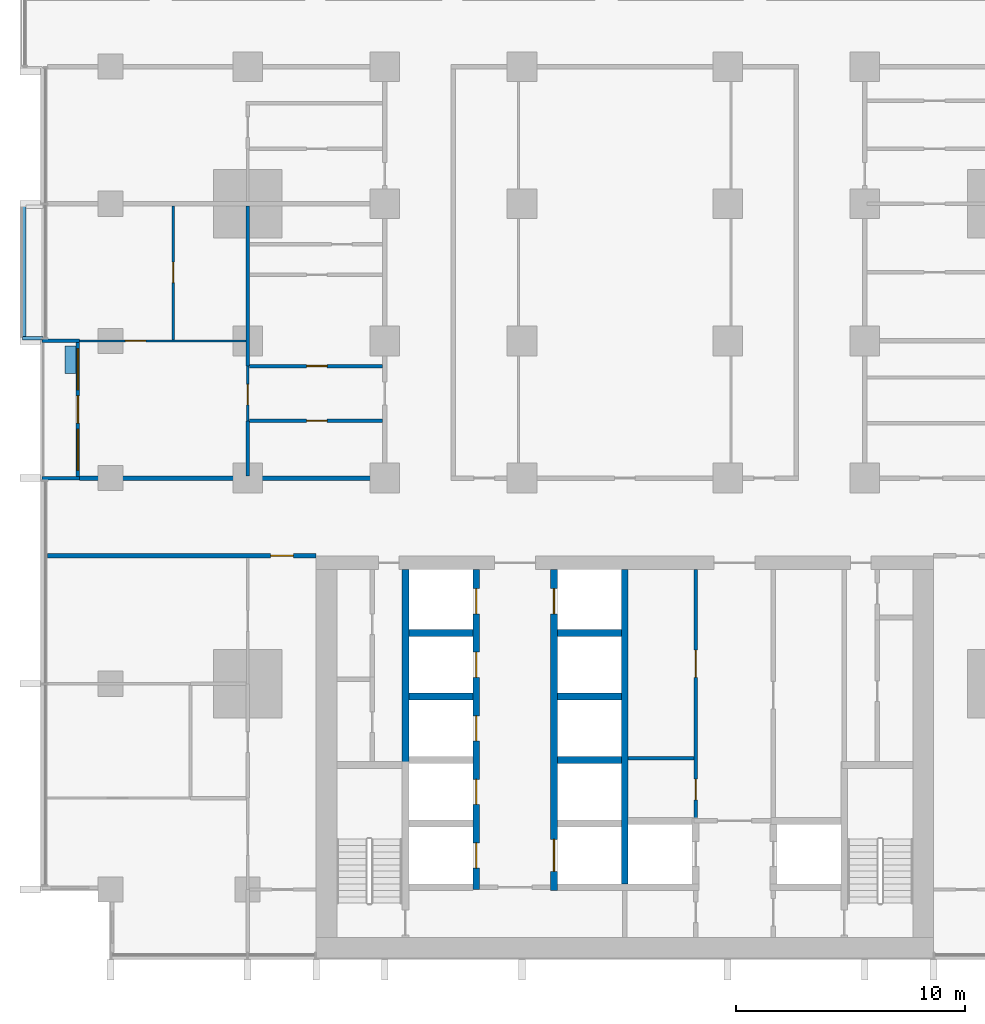
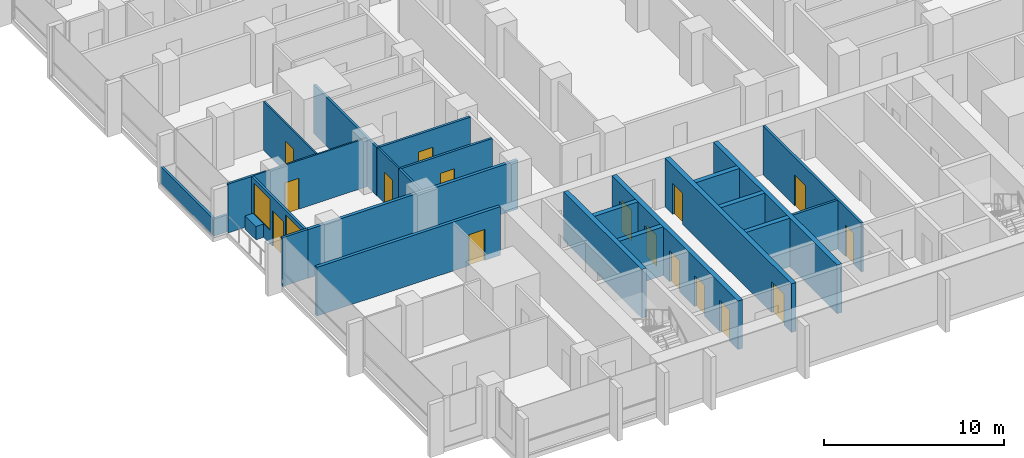
# One storey, part 8 of 18: 26 walls, 16 doors, 2 windows, 18 openings.
"""IFC4 building model written with IfcOpenShell, lengths in metres."""

import ifcopenshell
import ifcopenshell.guid

model = None  # the IFC model being written
_history = None  # IfcOwnerHistory: only IFC2X3 demands one
_inside = {}  # id of a spatial element -> (the spatial element, [elements in it])
_under = {}  # id of a project, library or spatial element -> (it, [spatial elements below it])
_declared = {}  # id of a project -> (the project, [libraries it declares])
_typed = {}  # id of a type object -> (the type object, [elements of that type])
_made_of = {}  # id of a material, layer set ... -> (it, [elements and type objects made of it])


def new_model(schema):
    """Start an empty IFC model of exactly this schema.

    Asked for "IFC4X3", IfcOpenShell would pick the latest addendum, in which some entities
    have other attributes; the version numbers below select the first issue.
    IFC2X3 requires an IfcOwnerHistory on every rooted entity: one is made here for all.
    """
    global model, _history
    if schema == "IFC4X3":
        model = ifcopenshell.file(schema_version=(4, 3, 0, 0))
    else:
        model = ifcopenshell.file(schema=schema)
    _inside.clear()
    _under.clear()
    _declared.clear()
    _typed.clear()
    _made_of.clear()
    _history = None
    if model.schema == "IFC2X3":
        org = make("IfcOrganization", Name="unknown")
        user = make(
            "IfcPersonAndOrganization",
            ThePerson=make("IfcPerson", FamilyName="unknown"),
            TheOrganization=org,
        )
        app = make(
            "IfcApplication",
            ApplicationDeveloper=org,
            Version="unknown",
            ApplicationFullName="unknown",
            ApplicationIdentifier="unknown",
        )
        _history = make(
            "IfcOwnerHistory",
            OwningUser=user,
            OwningApplication=app,
            ChangeAction="ADDED",
            CreationDate=0,
        )
    return model


def make(cls, **values):
    """One entity of the class cls with the attributes given. An attribute that is None is left unset."""
    return model.create_entity(
        cls, **{name: value for name, value in values.items() if value is not None}
    )


def rooted(cls, **values):
    """An entity with a GlobalId (a new one), such as an element, a storey or a relation."""
    return make(cls, GlobalId=ifcopenshell.guid.new(), OwnerHistory=_history, **values)


def si_unit(unit_type, name, prefix=None):
    """IfcSIUnit, for example si_unit("LENGTHUNIT", "METRE", prefix="MILLI")."""
    return make("IfcSIUnit", UnitType=unit_type, Prefix=prefix, Name=name)


def assignment(units):
    """IfcUnitAssignment: the units of a project."""
    return None if units is None else make("IfcUnitAssignment", Units=units)


def point(xyz):
    """IfcCartesianPoint."""
    return None if xyz is None else make("IfcCartesianPoint", Coordinates=xyz)


def direction(xyz):
    """IfcDirection."""
    return None if xyz is None else make("IfcDirection", DirectionRatios=xyz)


def frame(location, z_axis=None, x_axis=None):
    """IfcAxis2Placement3D, a coordinate frame: its origin and axes. An axis left out is left unset."""
    return make(
        "IfcAxis2Placement3D",
        Location=point(location),
        Axis=direction(z_axis),
        RefDirection=direction(x_axis),
    )


def frame_2d(location, x_axis=None):
    """IfcAxis2Placement2D, a coordinate frame in the plane: its origin and x axis."""
    return make(
        "IfcAxis2Placement2D", Location=point(location), RefDirection=direction(x_axis)
    )


def origin():
    """The frame at (0, 0, 0) with its axes left unset."""
    return frame((0.0, 0.0, 0.0))


def place(relative_to, where):
    """IfcLocalPlacement: puts the frame where relative to a parent placement (None: the world)."""
    return make(
        "IfcLocalPlacement", PlacementRelTo=relative_to, RelativePlacement=where
    )


def context(
    kind, dimensions, precision=None, world=None, true_north=None, identifier=None
):
    """IfcGeometricRepresentationContext, for example the 3D "Model" context."""
    return make(
        "IfcGeometricRepresentationContext",
        ContextIdentifier=identifier,
        ContextType=kind,
        CoordinateSpaceDimension=dimensions,
        Precision=precision,
        WorldCoordinateSystem=world,
        TrueNorth=true_north,
    )


def subcontext(parent, identifier, kind, view, scale=None):
    """IfcGeometricRepresentationSubContext, for example "Body" below "Model"."""
    return make(
        "IfcGeometricRepresentationSubContext",
        ContextIdentifier=identifier,
        ContextType=kind,
        ParentContext=parent,
        TargetScale=scale,
        TargetView=view,
    )


def project(units=None, contexts=None):
    """IfcProject with its units and contexts."""
    return rooted(
        "IfcProject",
        Name="project",
        RepresentationContexts=contexts,
        UnitsInContext=assignment(units),
    )


def spatial(cls, under=None, at=None, **own):
    """A site, building, storey or space (cls), placed at a placement, below another one or the project."""
    s = rooted(cls, ObjectPlacement=at, **own)
    if under is not None:
        _under.setdefault(under.id(), (under, []))[1].append(s)
    return s


def profile(cls, at=None, kind="AREA", **sizes):
    """A parametric profile (cls). Its sizes go by their IFC names, for example OverallWidth=200.0."""
    return make(cls, ProfileType=kind, Position=at, **sizes)


def rectangle(**sizes):
    """IfcRectangleProfileDef."""
    return profile("IfcRectangleProfileDef", **sizes)


def extrude(swept, where, along, depth):
    """IfcExtrudedAreaSolid: the profile swept, set in the frame where, extruded along a direction by depth."""
    return make(
        "IfcExtrudedAreaSolid",
        SweptArea=swept,
        Position=where,
        ExtrudedDirection=direction(along),
        Depth=depth,
    )


def shape(context_of_items, identifier, shape_type, items):
    """IfcShapeRepresentation: the items that make up one representation, for example the "Body"."""
    return make(
        "IfcShapeRepresentation",
        ContextOfItems=context_of_items,
        RepresentationIdentifier=identifier,
        RepresentationType=shape_type,
        Items=items,
    )


def material(Name=None, Category=None):
    """IfcMaterial."""
    return make("IfcMaterial", Name=Name, Category=Category)


def layer(
    of_material, thickness, ventilated=None, Name=None, Category=None, Priority=None
):
    """IfcMaterialLayer: one layer of a wall or slab, of a material (None: an air gap)."""
    return make(
        "IfcMaterialLayer",
        Material=of_material,
        LayerThickness=thickness,
        IsVentilated=ventilated,
        Name=Name,
        Category=Category,
        Priority=Priority,
    )


def layer_set(layers, Name=None):
    """IfcMaterialLayerSet."""
    return make("IfcMaterialLayerSet", MaterialLayers=layers, LayerSetName=Name)


def made_of(thing, what):
    """Note that an element or type object is made of a material, layer set ...; save() writes the relation."""
    if what is not None:
        _made_of.setdefault(what.id(), (what, []))[1].append(thing)
    return thing


def type_object(cls, material=None, **own):
    """A type object (cls), such as IfcWallType, which elements share."""
    return made_of(rooted(cls, **own), material)


def element(
    cls,
    number,
    at=None,
    inside=None,
    cuts=None,
    type_object=None,
    material=None,
    context=None,
    identifier="Body",
    shape_type=None,
    held_by="IfcProductDefinitionShape",
    body=None,
    shapes=None,
    **own,
):
    """One element of the class cls, such as IfcWall. Its Tag is "e" and its number.

    at: its placement. inside: the storey or other place that contains it. cuts: it is an
    opening in that element (IfcRelVoidsElement). A single representation is given by context,
    identifier, shape_type and body (its items); several are given by shapes. held_by: the class
    of the entity that holds the representations. save() writes the other relations.
    """
    e = rooted(cls, Tag="e%d" % number, ObjectPlacement=at, **own)
    if body is not None:
        shapes = [shape(context, identifier, shape_type, body)]
    if shapes is not None:
        e.Representation = make(held_by, Representations=shapes)
    if inside is not None:
        _inside.setdefault(inside.id(), (inside, []))[1].append(e)
    if cuts is not None:
        rooted(
            "IfcRelVoidsElement", RelatingBuildingElement=cuts, RelatedOpeningElement=e
        )
    if type_object is not None:
        _typed.setdefault(type_object.id(), (type_object, []))[1].append(e)
    return made_of(e, material)


def fill(opening, filler):
    """IfcRelFillsElement: the door or window that sits in an opening."""
    return rooted(
        "IfcRelFillsElement",
        RelatingOpeningElement=opening,
        RelatedBuildingElement=filler,
    )


def aggregate(whole, parts):
    """IfcRelAggregates: a whole, such as a stair, and the parts it consists of."""
    return rooted("IfcRelAggregates", RelatingObject=whole, RelatedObjects=parts)


def save(model, path):
    """Write the relations noted so far, then the file.

    IfcRelAggregates (storeys below a building ...), IfcRelContainedInSpatialStructure (elements
    in a storey), IfcRelDefinesByType, IfcRelAssociatesMaterial and IfcRelDeclares: one each for
    every whole, place, type object, material and project.
    """
    for whole, parts in _under.values():
        aggregate(whole, parts)
    for where, things in _inside.values():
        rooted(
            "IfcRelContainedInSpatialStructure",
            RelatedElements=things,
            RelatingStructure=where,
        )
    for kind, things in _typed.values():
        rooted("IfcRelDefinesByType", RelatedObjects=things, RelatingType=kind)
    for what, things in _made_of.values():
        rooted("IfcRelAssociatesMaterial", RelatedObjects=things, RelatingMaterial=what)
    for by, libraries in _declared.values():
        rooted("IfcRelDeclares", RelatingContext=by, RelatedDefinitions=libraries)
    model.write(path)


model = new_model("IFC4")

# Units and contexts
model_context = context("Model", 3, precision=1e-05, world=origin(), true_north=direction((0.0, 1.0)))
body_context = subcontext(model_context, "Body", "Model", "MODEL_VIEW")
ifc_project = project(units=[si_unit("LENGTHUNIT", "METRE"), si_unit("AREAUNIT", "SQUARE_METRE"), si_unit("VOLUMEUNIT", "CUBIC_METRE"), si_unit("PLANEANGLEUNIT", "RADIAN"), si_unit("MASSUNIT", "GRAM", prefix="KILO")], contexts=[model_context])

# Site, building, storey
site_placement = place(None, origin())
site = spatial("IfcSite", under=ifc_project, at=site_placement, CompositionType="ELEMENT")
building_placement = place(site_placement, origin())
building = spatial("IfcBuilding", under=site, at=building_placement, Name="Finial Court Residences", CompositionType="ELEMENT")
storey_placement = place(building_placement, frame((0.0, 0.0, 36.10009765625)))
storey = spatial("IfcBuildingStorey", under=building, at=storey_placement, Name="L07", CompositionType="ELEMENT", Elevation=36.10009765625)

# Wall
ifc_material_1 = material(Name="Fire-rated gypsum board partition")
ifc_layer_1 = layer(ifc_material_1, 0.14990234375)
ifc_layer_set_1 = layer_set([ifc_layer_1], Name="Core room partition 150 EI 60")
wall_type_1 = type_object("IfcWallType", Name="Core room partition 150 EI 60", PredefinedType="PARTITIONING", material=ifc_layer_set_1)
wall_1_placement = place(storey_placement, frame((0.14990234375, -16.75, 0.0), z_axis=(0.0, 0.0, 1.0), x_axis=(1.0, 0.0, 0.0)))
element("IfcWall", 1, at=wall_1_placement, inside=storey, type_object=wall_type_1, Name="Core partition L07-14", PredefinedType="PARTITIONING", context=body_context, shape_type="SweptSolid", body=[
    extrude(rectangle(XDim=2.875, YDim=0.14990234375, at=frame_2d((1.4375, 0.0))), origin(), (0.0, 0.0, 1.0), 3.2998046875),
])

# Wall, openings, doors
wall_2_placement = place(storey_placement, frame((3.10009765625, -19.39990234375, 0.0), z_axis=(0.0, 0.0, 1.0), x_axis=(0.0, 1.0, 0.0)))
wall_2 = element("IfcWall", 2, at=wall_2_placement, inside=storey, type_object=wall_type_1, Name="Core partition L07-31", PredefinedType="PARTITIONING", context=body_context, shape_type="SweptSolid", body=[
    extrude(rectangle(XDim=10.89990234375, YDim=0.14990234375, at=frame_2d((5.449951171875, 0.0))), origin(), (0.0, 0.0, 1.0), 3.2998046875),
])
opening_1_placement = place(wall_2_placement, frame((0.824951171875, 0.0, 0.0)))
opening_1 = element("IfcOpeningElement", 3, at=opening_1_placement, cuts=wall_2, Name="Opening L07-C14", PredefinedType="OPENING", context=body_context, shape_type="SweptSolid", body=[
    extrude(rectangle(XDim=0.89990234375, YDim=2.10009765625, at=frame_2d((0.449951171875, 1.050048828125))), frame((0.0, 0.0849609375, 0.0), z_axis=(0.0, -1.0, 0.0), x_axis=(1.0, 0.0, 0.0)), (0.0, 0.0, 1.0), 0.169921875),
])
opening_2_placement = place(wall_2_placement, frame((6.175048828125, 0.0, 0.0)))
opening_2 = element("IfcOpeningElement", 4, at=opening_2_placement, cuts=wall_2, Name="Opening L07-C15", PredefinedType="OPENING", context=body_context, shape_type="SweptSolid", body=[
    extrude(rectangle(XDim=1.199951171875, YDim=2.10009765625, at=frame_2d((0.60009765625, 1.050048828125))), frame((0.0, 0.0849609375, 0.0), z_axis=(0.0, -1.0, 0.0), x_axis=(1.0, 0.0, 0.0)), (0.0, 0.0, 1.0), 0.169921875),
])
ifc_material_2 = material(Name="Steel fire door", Category="steel")
door_type_1 = type_object("IfcDoorType", Name="Core room door 1200 x 2100 EI 60", OperationType="NOTDEFINED", PredefinedType="DOOR", material=ifc_material_2)
door_1_placement = place(opening_2_placement, origin())
door_1 = element("IfcDoor", 5, at=door_1_placement, inside=storey, type_object=door_type_1, Name="Core room door L07-C15", OperationType="SINGLE_SWING_LEFT", OverallHeight=2.10009765625, OverallWidth=1.199951171875, PredefinedType="DOOR", context=body_context, shape_type="SweptSolid", body=[
    extrude(rectangle(XDim=1.199951171875, YDim=2.10009765625, at=frame_2d((0.60009765625, 1.050048828125))), frame((0.0, 0.02490234375, 0.0), z_axis=(0.0, -1.0, 0.0), x_axis=(1.0, 0.0, 0.0)), (0.0, 0.0, 1.0), 0.050048828125),
])
fill(opening_2, door_1)
door_type_2 = type_object("IfcDoorType", Name="Core room door 900 x 2100 EI 60", OperationType="NOTDEFINED", PredefinedType="DOOR", material=ifc_material_2)
door_2_placement = place(opening_1_placement, origin())
door_2 = element("IfcDoor", 6, at=door_2_placement, inside=storey, type_object=door_type_2, Name="Core room door L07-C14", OperationType="SINGLE_SWING_LEFT", OverallHeight=2.10009765625, OverallWidth=0.89990234375, PredefinedType="DOOR", context=body_context, shape_type="SweptSolid", body=[
    extrude(rectangle(XDim=0.89990234375, YDim=2.10009765625, at=frame_2d((0.449951171875, 1.050048828125))), frame((0.0, 0.02490234375, 0.0), z_axis=(0.0, -1.0, 0.0), x_axis=(1.0, 0.0, 0.0)), (0.0, 0.0, 1.0), 0.050048828125),
])
fill(opening_1, door_2)

# Wall, opening, door
ifc_material_3 = material(Name="Gypsum board")
ifc_layer_2 = layer(ifc_material_3, 0.02490234375)
ifc_material_4 = material(Name="Acoustic mineral wool in double frame")
ifc_layer_3 = layer(ifc_material_4, 0.14990234375)
ifc_layer_4 = layer(ifc_material_3, 0.02490234375)
ifc_layer_set_2 = layer_set([ifc_layer_2, ifc_layer_3, ifc_layer_4], Name="Corridor wall 200, 1 hour")
wall_type_2 = type_object("IfcWallType", Name="Corridor wall 200, 1 hour", PredefinedType="PARTITIONING", material=ifc_layer_set_2)
wall_3_placement = place(storey_placement, frame((-25.25, -7.89990234375, 0.0), z_axis=(0.0, 0.0, 1.0), x_axis=(1.0, 0.0, 0.0)))
wall_3 = element("IfcWall", 7, at=wall_3_placement, inside=storey, type_object=wall_type_2, Name="Partition L07-009", PredefinedType="PARTITIONING", context=body_context, shape_type="SweptSolid", body=[
    extrude(rectangle(XDim=11.75, YDim=0.199951171875, at=frame_2d((5.875, 0.0))), origin(), (0.0, 0.0, 1.0), 3.2998046875),
])
opening_3_placement = place(wall_3_placement, frame((9.75, 0.0, 0.0)))
opening_3 = element("IfcOpeningElement", 8, at=opening_3_placement, cuts=wall_3, Name="Opening L07-D005", PredefinedType="OPENING", context=body_context, shape_type="SweptSolid", body=[
    extrude(rectangle(XDim=1.0, YDim=2.10009765625, at=frame_2d((0.5, 1.050048828125))), frame((0.0, 0.10986328125, 0.0), z_axis=(0.0, -1.0, 0.0), x_axis=(1.0, 0.0, 0.0)), (0.0, 0.0, 1.0), 0.219970703125),
])
ifc_material_5 = material(Name="Timber door leaf in hollow metal frame", Category="wood")
door_type_3 = type_object("IfcDoorType", Name="Fire door set 1000 x 2100, 30 minutes", OperationType="SINGLE_SWING_LEFT", PredefinedType="DOOR", material=ifc_material_5)
door_3_placement = place(opening_3_placement, origin())
door_3 = element("IfcDoor", 9, at=door_3_placement, inside=storey, type_object=door_type_3, Name="Door L07-D005", OperationType="SINGLE_SWING_RIGHT", OverallHeight=2.10009765625, OverallWidth=1.0, PredefinedType="DOOR", context=body_context, shape_type="SweptSolid", body=[
    extrude(rectangle(XDim=1.0, YDim=2.10009765625, at=frame_2d((0.5, 1.050048828125))), frame((0.0, 0.02490234375, 0.0), z_axis=(0.0, -1.0, 0.0), x_axis=(1.0, 0.0, 0.0)), (0.0, 0.0, 1.0), 0.050048828125),
])
fill(opening_3, door_3)

# Wall
wall_4_placement = place(storey_placement, frame((-23.85009765625, -4.5, 0.0), z_axis=(0.0, 0.0, 1.0), x_axis=(1.0, 0.0, 0.0)))
element("IfcWall", 10, at=wall_4_placement, inside=storey, type_object=wall_type_2, Name="Partition L07-011", PredefinedType="PARTITIONING", context=body_context, shape_type="SweptSolid", body=[
    extrude(rectangle(XDim=13.4501953125, YDim=0.199951171875, at=frame_2d((6.72509765625, 0.0))), origin(), (0.0, 0.0, 1.0), 3.2998046875),
])

# Wall, opening, door
ifc_layer_5 = layer(ifc_material_3, 0.012451171875)
ifc_material_6 = material(Name="Mineral wool in light-gauge frame")
ifc_layer_6 = layer(ifc_material_6, 0.074951171875)
ifc_layer_7 = layer(ifc_material_3, 0.012451171875)
ifc_layer_set_3 = layer_set([ifc_layer_5, ifc_layer_6, ifc_layer_7], Name="Gypsum board partition 100")
wall_type_3 = type_object("IfcWallType", Name="Gypsum board partition 100", PredefinedType="PARTITIONING", material=ifc_layer_set_3)
wall_5_placement = place(storey_placement, frame((-23.85009765625, 1.5, 0.0), z_axis=(0.0, 0.0, 1.0), x_axis=(1.0, 0.0, 0.0)))
wall_5 = element("IfcWall", 11, at=wall_5_placement, inside=storey, type_object=wall_type_3, Name="Partition L07-018", PredefinedType="PARTITIONING", context=body_context, shape_type="SweptSolid", body=[
    extrude(rectangle(XDim=7.275146484375, YDim=0.10009765625, at=frame_2d((3.6376953125, 0.0))), origin(), (0.0, 0.0, 1.0), 3.2998046875),
])
opening_4_placement = place(wall_5_placement, frame((2.0, 0.0, 0.0)))
opening_4 = element("IfcOpeningElement", 12, at=opening_4_placement, cuts=wall_5, Name="Opening L07-D013", PredefinedType="OPENING", context=body_context, shape_type="SweptSolid", body=[
    extrude(rectangle(XDim=0.89990234375, YDim=2.10009765625, at=frame_2d((0.449951171875, 1.050048828125))), frame((0.0, 0.06005859375, 0.0), z_axis=(0.0, -1.0, 0.0), x_axis=(1.0, 0.0, 0.0)), (0.0, 0.0, 1.0), 0.1201171875),
])
ifc_material_7 = material(Name="Timber door leaf in timber frame", Category="wood")
door_type_4 = type_object("IfcDoorType", Name="Door set 900 x 2100", OperationType="SINGLE_SWING_LEFT", PredefinedType="DOOR", material=ifc_material_7)
door_4_placement = place(opening_4_placement, origin())
door_4 = element("IfcDoor", 13, at=door_4_placement, inside=storey, type_object=door_type_4, Name="Door L07-D013", OperationType="SINGLE_SWING_RIGHT", OverallHeight=2.10009765625, OverallWidth=0.89990234375, PredefinedType="DOOR", context=body_context, shape_type="SweptSolid", body=[
    extrude(rectangle(XDim=0.89990234375, YDim=2.10009765625, at=frame_2d((0.449951171875, 1.050048828125))), frame((0.0, 0.02490234375, 0.0), z_axis=(0.0, -1.0, 0.0), x_axis=(1.0, 0.0, 0.0)), (0.0, 0.0, 1.0), 0.050048828125),
])
fill(opening_4, door_4)

wall_6_placement = place(storey_placement, frame((-19.75, 1.550048828125, 0.0), z_axis=(0.0, 0.0, 1.0), x_axis=(0.0, 1.0, 0.0)))
wall_6 = element("IfcWall", 14, at=wall_6_placement, inside=storey, type_object=wall_type_3, Name="Partition L07-048", PredefinedType="PARTITIONING", context=body_context, shape_type="SweptSolid", body=[
    extrude(rectangle(XDim=5.849853515625, YDim=0.10009765625, at=frame_2d((2.9248046875, 0.0))), origin(), (0.0, 0.0, 1.0), 3.2998046875),
])
opening_5_placement = place(wall_6_placement, frame((2.5, 0.0, 0.0)))
opening_5 = element("IfcOpeningElement", 15, at=opening_5_placement, cuts=wall_6, Name="Opening L07-D035", PredefinedType="OPENING", context=body_context, shape_type="SweptSolid", body=[
    extrude(rectangle(XDim=0.89990234375, YDim=2.10009765625, at=frame_2d((0.449951171875, 1.050048828125))), frame((0.0, 0.06005859375, 0.0), z_axis=(0.0, -1.0, 0.0), x_axis=(1.0, 0.0, 0.0)), (0.0, 0.0, 1.0), 0.1201171875),
])
door_5_placement = place(opening_5_placement, origin())
door_5 = element("IfcDoor", 16, at=door_5_placement, inside=storey, type_object=door_type_4, Name="Door L07-D035", OperationType="SINGLE_SWING_RIGHT", OverallHeight=2.10009765625, OverallWidth=0.89990234375, PredefinedType="DOOR", context=body_context, shape_type="SweptSolid", body=[
    extrude(rectangle(XDim=0.89990234375, YDim=2.10009765625, at=frame_2d((0.449951171875, 1.050048828125))), frame((0.0, 0.02490234375, 0.0), z_axis=(0.0, -1.0, 0.0), x_axis=(1.0, 0.0, 0.0)), (0.0, 0.0, 1.0), 0.050048828125),
])
fill(opening_5, door_5)

wall_7_placement = place(storey_placement, frame((-16.5, -2.0, 0.0), z_axis=(0.0, 0.0, 1.0), x_axis=(0.0, 1.0, 0.0)))
wall_7 = element("IfcWall", 17, at=wall_7_placement, inside=storey, type_object=wall_type_3, Name="Partition L07-054", PredefinedType="PARTITIONING", context=body_context, shape_type="SweptSolid", body=[
    extrude(rectangle(XDim=2.39990234375, YDim=0.10009765625, at=frame_2d((1.199951171875, 0.0))), origin(), (0.0, 0.0, 1.0), 3.2998046875),
])
opening_6_placement = place(wall_7_placement, frame((0.699951171875, 0.0, 0.0)))
opening_6 = element("IfcOpeningElement", 18, at=opening_6_placement, cuts=wall_7, Name="Opening L07-D039", PredefinedType="OPENING", context=body_context, shape_type="SweptSolid", body=[
    extrude(rectangle(XDim=0.89990234375, YDim=2.10009765625, at=frame_2d((0.449951171875, 1.050048828125))), frame((0.0, 0.06005859375, 0.0), z_axis=(0.0, -1.0, 0.0), x_axis=(1.0, 0.0, 0.0)), (0.0, 0.0, 1.0), 0.1201171875),
])
door_6_placement = place(opening_6_placement, origin())
door_6 = element("IfcDoor", 19, at=door_6_placement, inside=storey, type_object=door_type_4, Name="Door L07-D039", OperationType="SINGLE_SWING_RIGHT", OverallHeight=2.10009765625, OverallWidth=0.89990234375, PredefinedType="DOOR", context=body_context, shape_type="SweptSolid", body=[
    extrude(rectangle(XDim=0.89990234375, YDim=2.10009765625, at=frame_2d((0.449951171875, 1.050048828125))), frame((0.0, 0.02490234375, 0.0), z_axis=(0.0, -1.0, 0.0), x_axis=(1.0, 0.0, 0.0)), (0.0, 0.0, 1.0), 0.050048828125),
])
fill(opening_6, door_6)

ifc_material_8 = material(Name="Moisture-resistant gypsum board")
ifc_layer_8 = layer(ifc_material_8, 0.012451171875)
ifc_layer_9 = layer(ifc_material_6, 0.125)
ifc_layer_10 = layer(ifc_material_8, 0.012451171875)
ifc_layer_set_4 = layer_set([ifc_layer_8, ifc_layer_9, ifc_layer_10], Name="Gypsum board wet-area partition 150")
wall_type_4 = type_object("IfcWallType", Name="Gypsum board wet-area partition 150", PredefinedType="PARTITIONING", material=ifc_layer_set_4)
wall_8_placement = place(storey_placement, frame((-16.425048828125, -2.0, 0.0), z_axis=(0.0, 0.0, 1.0), x_axis=(1.0, 0.0, 0.0)))
wall_8 = element("IfcWall", 20, at=wall_8_placement, inside=storey, type_object=wall_type_4, Name="Partition L07-015", PredefinedType="PARTITIONING", context=body_context, shape_type="SweptSolid", body=[
    extrude(rectangle(XDim=5.824951171875, YDim=0.14990234375, at=frame_2d((2.91259765625, 0.0))), origin(), (0.0, 0.0, 1.0), 3.2998046875),
])
opening_7_placement = place(wall_8_placement, frame((2.5, 0.0, 0.0)))
opening_7 = element("IfcOpeningElement", 21, at=opening_7_placement, cuts=wall_8, Name="Opening L07-D011", PredefinedType="OPENING", context=body_context, shape_type="SweptSolid", body=[
    extrude(rectangle(XDim=0.89990234375, YDim=2.10009765625, at=frame_2d((0.449951171875, 1.050048828125))), frame((0.0, 0.0849609375, 0.0), z_axis=(0.0, -1.0, 0.0), x_axis=(1.0, 0.0, 0.0)), (0.0, 0.0, 1.0), 0.169921875),
])
door_7_placement = place(opening_7_placement, origin())
door_7 = element("IfcDoor", 22, at=door_7_placement, inside=storey, type_object=door_type_4, Name="Door L07-D011", OperationType="SINGLE_SWING_RIGHT", OverallHeight=2.10009765625, OverallWidth=0.89990234375, PredefinedType="DOOR", context=body_context, shape_type="SweptSolid", body=[
    extrude(rectangle(XDim=0.89990234375, YDim=2.10009765625, at=frame_2d((0.449951171875, 1.050048828125))), frame((0.0, 0.02490234375, 0.0), z_axis=(0.0, -1.0, 0.0), x_axis=(1.0, 0.0, 0.0)), (0.0, 0.0, 1.0), 0.050048828125),
])
fill(opening_7, door_7)

wall_9_placement = place(storey_placement, frame((-16.425048828125, 0.39990234375, 0.0), z_axis=(0.0, 0.0, 1.0), x_axis=(1.0, 0.0, 0.0)))
wall_9 = element("IfcWall", 23, at=wall_9_placement, inside=storey, type_object=wall_type_4, Name="Partition L07-017", PredefinedType="PARTITIONING", context=body_context, shape_type="SweptSolid", body=[
    extrude(rectangle(XDim=5.824951171875, YDim=0.14990234375, at=frame_2d((2.91259765625, 0.0))), origin(), (0.0, 0.0, 1.0), 3.2998046875),
])
opening_8_placement = place(wall_9_placement, frame((2.5, 0.0, 0.0)))
opening_8 = element("IfcOpeningElement", 24, at=opening_8_placement, cuts=wall_9, Name="Opening L07-D012", PredefinedType="OPENING", context=body_context, shape_type="SweptSolid", body=[
    extrude(rectangle(XDim=0.89990234375, YDim=2.10009765625, at=frame_2d((0.449951171875, 1.050048828125))), frame((0.0, 0.0849609375, 0.0), z_axis=(0.0, -1.0, 0.0), x_axis=(1.0, 0.0, 0.0)), (0.0, 0.0, 1.0), 0.169921875),
])
door_8_placement = place(opening_8_placement, origin())
door_8 = element("IfcDoor", 25, at=door_8_placement, inside=storey, type_object=door_type_4, Name="Door L07-D012", OperationType="SINGLE_SWING_LEFT", OverallHeight=2.10009765625, OverallWidth=0.89990234375, PredefinedType="DOOR", context=body_context, shape_type="SweptSolid", body=[
    extrude(rectangle(XDim=0.89990234375, YDim=2.10009765625, at=frame_2d((0.449951171875, 1.050048828125))), frame((0.0, 0.02490234375, 0.0), z_axis=(0.0, -1.0, 0.0), x_axis=(1.0, 0.0, 0.0)), (0.0, 0.0, 1.0), 0.050048828125),
])
fill(opening_8, door_8)

# Walls
wall_10_placement = place(storey_placement, frame((-16.5, -4.39990234375, 0.0), z_axis=(0.0, 0.0, 1.0), x_axis=(0.0, 1.0, 0.0)))
element("IfcWall", 26, at=wall_10_placement, inside=storey, type_object=wall_type_4, Name="Partition L07-058", PredefinedType="PARTITIONING", context=body_context, shape_type="SweptSolid", body=[
    extrude(rectangle(XDim=2.39990234375, YDim=0.14990234375, at=frame_2d((1.199951171875, 0.0))), origin(), (0.0, 0.0, 1.0), 3.2998046875),
])
wall_11_placement = place(storey_placement, frame((-16.5, 0.39990234375, 0.0), z_axis=(0.0, 0.0, 1.0), x_axis=(0.0, 1.0, 0.0)))
element("IfcWall", 27, at=wall_11_placement, inside=storey, type_object=wall_type_4, Name="Partition L07-059", PredefinedType="PARTITIONING", context=body_context, shape_type="SweptSolid", body=[
    extrude(rectangle(XDim=7.0, YDim=0.14990234375, at=frame_2d((3.5, 0.0))), origin(), (0.0, 0.0, 1.0), 3.2998046875),
])
ifc_material_9 = material(Name="Concrete C35/45", Category="concrete")
ifc_layer_11 = layer(ifc_material_9, 0.14990234375)
ifc_layer_set_5 = layer_set([ifc_layer_11], Name="Ledge parapet, Concrete C35/45 150")
wall_type_5 = type_object("IfcWallType", Name="Ledge parapet, Concrete C35/45 150", PredefinedType="PARAPET", material=ifc_layer_set_5)
wall_12_placement = place(storey_placement, frame((-25.4599609375, 1.625, 0.0), z_axis=(0.0, 0.0, 1.0), x_axis=(-1.0, 0.0, 0.0)))
element("IfcWall", 28, at=wall_12_placement, inside=storey, type_object=wall_type_5, Name="E-L07-LED1-P1", PredefinedType="PARAPET", context=body_context, shape_type="SweptSolid", body=[
    extrude(rectangle(XDim=0.89013671875, YDim=0.14990234375, at=frame_2d((0.445068359375, 0.0))), origin(), (0.0, 0.0, 1.0), 1.14990234375),
])
wall_13_placement = place(storey_placement, frame((-26.27490234375, 1.699951171875, 0.0), z_axis=(0.0, 0.0, 1.0), x_axis=(0.0, 1.0, 0.0)))
element("IfcWall", 29, at=wall_13_placement, inside=storey, type_object=wall_type_5, Name="E-L07-LED1-P2", PredefinedType="PARAPET", context=body_context, shape_type="SweptSolid", body=[
    extrude(rectangle(XDim=5.75, YDim=0.14990234375, at=frame_2d((2.875, 0.0))), origin(), (0.0, 0.0, 1.0), 1.14990234375),
])
ifc_material_10 = material(Name="Concrete C80/95", Category="concrete")
ifc_layer_12 = layer(ifc_material_10, 0.300048828125)
ifc_layer_set_6 = layer_set([ifc_layer_12], Name="Lift shaft and stair wall 300 Concrete C80/95")
wall_type_6 = type_object("IfcWallType", Name="Lift shaft and stair wall 300 Concrete C80/95", PredefinedType="SHEAR", material=ifc_layer_set_6)
for number, where, z_axis, x_axis, name in (
    (30, (-2.949951171875, -16.840087890625, 0.0), (0.0, 0.0, 1.0), (1.0, 0.0, 0.0), "Core wall L07-13"),
    (31, (-9.449951171875, -14.06005859375, 0.0), (0.0, 0.0, 1.0), (1.0, 0.0, 0.0), "Core wall L07-15"),
    (32, (-2.949951171875, -14.06005859375, 0.0), (0.0, 0.0, 1.0), (1.0, 0.0, 0.0), "Core wall L07-16"),
    (33, (-9.449951171875, -11.280029296875, 0.0), (0.0, 0.0, 1.0), (1.0, 0.0, 0.0), "Core wall L07-18"),
    (34, (-2.949951171875, -11.280029296875, 0.0), (0.0, 0.0, 1.0), (1.0, 0.0, 0.0), "Core wall L07-19"),
):
    element("IfcWall", number, at=place(storey_placement, frame(where, z_axis=z_axis, x_axis=x_axis)), inside=storey, type_object=wall_type_6, Name=name, PredefinedType="SHEAR", context=body_context, shape_type="SweptSolid", body=[
        extrude(rectangle(XDim=2.800048828125, YDim=0.300048828125, at=frame_2d((1.39990234375, 0.0))), origin(), (0.0, 0.0, 1.0), 3.2998046875),
    ])
wall_14_placement = place(storey_placement, frame((-9.60009765625, -17.199951171875, 0.0), z_axis=(0.0, 0.0, 1.0), x_axis=(0.0, 1.0, 0.0)))
element("IfcWall", 35, at=wall_14_placement, inside=storey, type_object=wall_type_6, Name="Core wall L07-24", PredefinedType="SHEAR", context=body_context, shape_type="SweptSolid", body=[
    extrude(rectangle(XDim=8.699951171875, YDim=0.300048828125, at=frame_2d((4.35009765625, 0.0))), origin(), (0.0, 0.0, 1.0), 3.2998046875),
])

# Wall, openings, doors
wall_15_placement = place(storey_placement, frame((-6.5, -22.5, 0.0), z_axis=(0.0, 0.0, 1.0), x_axis=(0.0, 1.0, 0.0)))
wall_15 = element("IfcWall", 36, at=wall_15_placement, inside=storey, type_object=wall_type_6, Name="Core wall L07-25", PredefinedType="SHEAR", context=body_context, shape_type="SweptSolid", body=[
    extrude(rectangle(XDim=14.0, YDim=0.300048828125, at=frame_2d((7.0, 0.0))), origin(), (0.0, 0.0, 1.0), 3.2998046875),
])
opening_9_placement = place(wall_15_placement, frame((0.93994140625, 0.0, 0.0)))
opening_9 = element("IfcOpeningElement", 37, at=opening_9_placement, cuts=wall_15, Name="Opening L07-LD03", PredefinedType="OPENING", context=body_context, shape_type="SweptSolid", body=[
    extrude(rectangle(XDim=1.10009765625, YDim=2.10009765625, at=frame_2d((0.550048828125, 1.050048828125))), frame((0.0, 0.159912109375, 0.0), z_axis=(0.0, -1.0, 0.0), x_axis=(1.0, 0.0, 0.0)), (0.0, 0.0, 1.0), 0.320068359375),
])
opening_10_placement = place(wall_15_placement, frame((3.719970703125, 0.0, 0.0)))
opening_10 = element("IfcOpeningElement", 38, at=opening_10_placement, cuts=wall_15, Name="Opening L07-LD04", PredefinedType="OPENING", context=body_context, shape_type="SweptSolid", body=[
    extrude(rectangle(XDim=1.10009765625, YDim=2.10009765625, at=frame_2d((0.550048828125, 1.050048828125))), frame((0.0, 0.159912109375, 0.0), z_axis=(0.0, -1.0, 0.0), x_axis=(1.0, 0.0, 0.0)), (0.0, 0.0, 1.0), 0.320068359375),
])
opening_11_placement = place(wall_15_placement, frame((6.5, 0.0, 0.0)))
opening_11 = element("IfcOpeningElement", 39, at=opening_11_placement, cuts=wall_15, Name="Opening L07-LD05", PredefinedType="OPENING", context=body_context, shape_type="SweptSolid", body=[
    extrude(rectangle(XDim=1.10009765625, YDim=2.10009765625, at=frame_2d((0.550048828125, 1.050048828125))), frame((0.0, 0.159912109375, 0.0), z_axis=(0.0, -1.0, 0.0), x_axis=(1.0, 0.0, 0.0)), (0.0, 0.0, 1.0), 0.320068359375),
])
opening_12_placement = place(wall_15_placement, frame((9.280029296875, 0.0, 0.0)))
opening_12 = element("IfcOpeningElement", 40, at=opening_12_placement, cuts=wall_15, Name="Opening L07-LD06", PredefinedType="OPENING", context=body_context, shape_type="SweptSolid", body=[
    extrude(rectangle(XDim=1.10009765625, YDim=2.10009765625, at=frame_2d((0.550048828125, 1.050048828125))), frame((0.0, 0.159912109375, 0.0), z_axis=(0.0, -1.0, 0.0), x_axis=(1.0, 0.0, 0.0)), (0.0, 0.0, 1.0), 0.320068359375),
])
opening_13_placement = place(wall_15_placement, frame((12.06005859375, 0.0, 0.0)))
opening_13 = element("IfcOpeningElement", 41, at=opening_13_placement, cuts=wall_15, Name="Opening L07-LD07", PredefinedType="OPENING", context=body_context, shape_type="SweptSolid", body=[
    extrude(rectangle(XDim=1.10009765625, YDim=2.10009765625, at=frame_2d((0.550048828125, 1.050048828125))), frame((0.0, 0.159912109375, 0.0), z_axis=(0.0, -1.0, 0.0), x_axis=(1.0, 0.0, 0.0)), (0.0, 0.0, 1.0), 0.320068359375),
])
ifc_material_11 = material(Name="Stainless steel lift door", Category="steel")
door_type_5 = type_object("IfcDoorType", Name="Lift landing door 1100 x 2100 EI 90", OperationType="DOUBLE_DOOR_SLIDING", PredefinedType="DOOR", material=ifc_material_11)
door_9_placement = place(opening_9_placement, origin())
door_9 = element("IfcDoor", 42, at=door_9_placement, inside=storey, type_object=door_type_5, Name="Lift landing door LR1 L07", OperationType="DOUBLE_DOOR_SLIDING", OverallHeight=2.10009765625, OverallWidth=1.10009765625, PredefinedType="DOOR", context=body_context, shape_type="SweptSolid", body=[
    extrude(rectangle(XDim=1.10009765625, YDim=2.10009765625, at=frame_2d((0.550048828125, 1.050048828125))), frame((0.0, 0.02490234375, 0.0), z_axis=(0.0, -1.0, 0.0), x_axis=(1.0, 0.0, 0.0)), (0.0, 0.0, 1.0), 0.050048828125),
])
fill(opening_9, door_9)
door_10_placement = place(opening_10_placement, origin())
door_10 = element("IfcDoor", 43, at=door_10_placement, inside=storey, type_object=door_type_5, Name="Lift landing door LR2 L07", OperationType="DOUBLE_DOOR_SLIDING", OverallHeight=2.10009765625, OverallWidth=1.10009765625, PredefinedType="DOOR", context=body_context, shape_type="SweptSolid", body=[
    extrude(rectangle(XDim=1.10009765625, YDim=2.10009765625, at=frame_2d((0.550048828125, 1.050048828125))), frame((0.0, 0.02490234375, 0.0), z_axis=(0.0, -1.0, 0.0), x_axis=(1.0, 0.0, 0.0)), (0.0, 0.0, 1.0), 0.050048828125),
])
fill(opening_10, door_10)
door_11_placement = place(opening_11_placement, origin())
door_11 = element("IfcDoor", 44, at=door_11_placement, inside=storey, type_object=door_type_5, Name="Lift landing door LR3 L07", OperationType="DOUBLE_DOOR_SLIDING", OverallHeight=2.10009765625, OverallWidth=1.10009765625, PredefinedType="DOOR", context=body_context, shape_type="SweptSolid", body=[
    extrude(rectangle(XDim=1.10009765625, YDim=2.10009765625, at=frame_2d((0.550048828125, 1.050048828125))), frame((0.0, 0.02490234375, 0.0), z_axis=(0.0, -1.0, 0.0), x_axis=(1.0, 0.0, 0.0)), (0.0, 0.0, 1.0), 0.050048828125),
])
fill(opening_11, door_11)
door_12_placement = place(opening_12_placement, origin())
door_12 = element("IfcDoor", 45, at=door_12_placement, inside=storey, type_object=door_type_5, Name="Lift landing door LR4 L07", OperationType="DOUBLE_DOOR_SLIDING", OverallHeight=2.10009765625, OverallWidth=1.10009765625, PredefinedType="DOOR", context=body_context, shape_type="SweptSolid", body=[
    extrude(rectangle(XDim=1.10009765625, YDim=2.10009765625, at=frame_2d((0.550048828125, 1.050048828125))), frame((0.0, 0.02490234375, 0.0), z_axis=(0.0, -1.0, 0.0), x_axis=(1.0, 0.0, 0.0)), (0.0, 0.0, 1.0), 0.050048828125),
])
fill(opening_12, door_12)
door_13_placement = place(opening_13_placement, origin())
door_13 = element("IfcDoor", 46, at=door_13_placement, inside=storey, type_object=door_type_5, Name="Lift landing door LR5 L07", OperationType="DOUBLE_DOOR_SLIDING", OverallHeight=2.10009765625, OverallWidth=1.10009765625, PredefinedType="DOOR", context=body_context, shape_type="SweptSolid", body=[
    extrude(rectangle(XDim=1.10009765625, YDim=2.10009765625, at=frame_2d((0.550048828125, 1.050048828125))), frame((0.0, 0.02490234375, 0.0), z_axis=(0.0, -1.0, 0.0), x_axis=(1.0, 0.0, 0.0)), (0.0, 0.0, 1.0), 0.050048828125),
])
fill(opening_13, door_13)

wall_16_placement = place(storey_placement, frame((-3.10009765625, -22.550048828125, 0.0), z_axis=(0.0, 0.0, 1.0), x_axis=(0.0, 1.0, 0.0)))
wall_16 = element("IfcWall", 47, at=wall_16_placement, inside=storey, type_object=wall_type_6, Name="Core wall L07-26", PredefinedType="SHEAR", context=body_context, shape_type="SweptSolid", body=[
    extrude(rectangle(XDim=14.050048828125, YDim=0.300048828125, at=frame_2d((7.02490234375, 0.0))), origin(), (0.0, 0.0, 1.0), 3.2998046875),
])
opening_14_placement = place(wall_16_placement, frame((12.110107421875, 0.0, 0.0)))
opening_14 = element("IfcOpeningElement", 48, at=opening_14_placement, cuts=wall_16, Name="Opening L07-LD08", PredefinedType="OPENING", context=body_context, shape_type="SweptSolid", body=[
    extrude(rectangle(XDim=1.10009765625, YDim=2.10009765625, at=frame_2d((0.550048828125, 1.050048828125))), frame((0.0, 0.159912109375, 0.0), z_axis=(0.0, -1.0, 0.0), x_axis=(1.0, 0.0, 0.0)), (0.0, 0.0, 1.0), 0.320068359375),
])
opening_15_placement = place(wall_16_placement, frame((0.840087890625, 0.0, 0.0)))
opening_15 = element("IfcOpeningElement", 49, at=opening_15_placement, cuts=wall_16, Name="Opening L07-LD09", PredefinedType="OPENING", context=body_context, shape_type="SweptSolid", body=[
    extrude(rectangle(XDim=1.39990234375, YDim=2.10009765625, at=frame_2d((0.699951171875, 1.050048828125))), frame((0.0, 0.159912109375, 0.0), z_axis=(0.0, -1.0, 0.0), x_axis=(1.0, 0.0, 0.0)), (0.0, 0.0, 1.0), 0.320068359375),
])
door_14_placement = place(opening_14_placement, origin())
door_14 = element("IfcDoor", 50, at=door_14_placement, inside=storey, type_object=door_type_5, Name="Lift landing door LR6 L07", OperationType="DOUBLE_DOOR_SLIDING", OverallHeight=2.10009765625, OverallWidth=1.10009765625, PredefinedType="DOOR", context=body_context, shape_type="SweptSolid", body=[
    extrude(rectangle(XDim=1.10009765625, YDim=2.10009765625, at=frame_2d((0.550048828125, 1.050048828125))), frame((0.0, 0.02490234375, 0.0), z_axis=(0.0, -1.0, 0.0), x_axis=(1.0, 0.0, 0.0)), (0.0, 0.0, 1.0), 0.050048828125),
])
fill(opening_14, door_14)
door_type_6 = type_object("IfcDoorType", Name="Lift landing door 1400 x 2100 EI 90", OperationType="DOUBLE_DOOR_SLIDING", PredefinedType="DOOR", material=ifc_material_11)
door_15_placement = place(opening_15_placement, origin())
door_15 = element("IfcDoor", 51, at=door_15_placement, inside=storey, type_object=door_type_6, Name="Lift landing door SV1 L07", OperationType="DOUBLE_DOOR_SLIDING", OverallHeight=2.10009765625, OverallWidth=1.39990234375, PredefinedType="DOOR", context=body_context, shape_type="SweptSolid", body=[
    extrude(rectangle(XDim=1.39990234375, YDim=2.10009765625, at=frame_2d((0.699951171875, 1.050048828125))), frame((0.0, 0.02490234375, 0.0), z_axis=(0.0, -1.0, 0.0), x_axis=(1.0, 0.0, 0.0)), (0.0, 0.0, 1.0), 0.050048828125),
])
fill(opening_15, door_15)

# Walls
wall_17_placement = place(storey_placement, frame((0.0, -22.25, 0.0), z_axis=(0.0, 0.0, 1.0), x_axis=(0.0, 1.0, 0.0)))
element("IfcWall", 52, at=wall_17_placement, inside=storey, type_object=wall_type_6, Name="Core wall L07-28", PredefinedType="SHEAR", context=body_context, shape_type="SweptSolid", body=[
    extrude(rectangle(XDim=13.75, YDim=0.300048828125, at=frame_2d((6.875, 0.0))), origin(), (0.0, 0.0, 1.0), 3.2998046875),
])
ifc_material_12 = material(Name="Natural limestone", Category="masonry")
ifc_layer_13 = layer(ifc_material_12, 0.14990234375)
ifc_layer_set_7 = layer_set([ifc_layer_13], Name="Limestone clad wall 150")
wall_type_7 = type_object("IfcWallType", Name="Limestone clad wall 150", PredefinedType="SOLIDWALL", material=ifc_layer_set_7)
for number, where, z_axis, x_axis, name in (
    (53, (-23.85009765625, -4.5, 0.0), (0.0, 0.0, 1.0), (-1.0, 0.0, 0.0), "E-L07-BALW3-P1"),
    (54, (-23.85009765625, 1.5, 0.0), (0.0, 0.0, 1.0), (-1.0, 0.0, 0.0), "E-L07-BALW3-P2"),
):
    element("IfcWall", number, at=place(storey_placement, frame(where, z_axis=z_axis, x_axis=x_axis)), inside=storey, type_object=wall_type_7, Name=name, PredefinedType="SOLIDWALL", context=body_context, shape_type="SweptSolid", body=[
        extrude(rectangle(XDim=1.64990234375, YDim=0.14990234375, at=frame_2d((0.824951171875, 0.0))), origin(), (0.0, 0.0, 1.0), 3.2998046875),
    ])

# Wall, openings, door, windows
wall_18_placement = place(storey_placement, frame((-23.925048828125, -4.425048828125, 0.0), z_axis=(0.0, 0.0, 1.0), x_axis=(0.0, 1.0, 0.0)))
wall_18 = element("IfcWall", 55, at=wall_18_placement, inside=storey, type_object=wall_type_7, Name="E-L07-L07-BALW3-W", PredefinedType="SOLIDWALL", context=body_context, shape_type="SweptSolid", body=[
    extrude(rectangle(XDim=5.85009765625, YDim=0.14990234375, at=frame_2d((2.925048828125, 0.0))), origin(), (0.0, 0.0, 1.0), 3.2998046875),
])
opening_16_placement = place(wall_18_placement, frame((2.324951171875, 0.0, 0.0)))
opening_16 = element("IfcOpeningElement", 56, at=opening_16_placement, cuts=wall_18, Name="Opening DE07-02", PredefinedType="OPENING", context=body_context, shape_type="SweptSolid", body=[
    extrude(rectangle(XDim=1.199951171875, YDim=2.39990234375, at=frame_2d((0.60009765625, 1.199951171875))), frame((0.0, 0.0849609375, 0.0), z_axis=(0.0, -1.0, 0.0), x_axis=(1.0, 0.0, 0.0)), (0.0, 0.0, 1.0), 0.169921875),
])
opening_17_placement = place(wall_18_placement, frame((0.262451171875, 0.0, 0.89990234375)))
opening_17 = element("IfcOpeningElement", 57, at=opening_17_placement, cuts=wall_18, Name="Opening WE07-11", PredefinedType="OPENING", context=body_context, shape_type="SweptSolid", body=[
    extrude(rectangle(XDim=1.800048828125, YDim=2.10009765625, at=frame_2d((0.89990234375, 1.050048828125))), frame((0.0, 0.0849609375, 0.0), z_axis=(0.0, -1.0, 0.0), x_axis=(1.0, 0.0, 0.0)), (0.0, 0.0, 1.0), 0.169921875),
])
opening_18_placement = place(wall_18_placement, frame((3.78759765625, 0.0, 0.89990234375)))
opening_18 = element("IfcOpeningElement", 58, at=opening_18_placement, cuts=wall_18, Name="Opening WE07-12", PredefinedType="OPENING", context=body_context, shape_type="SweptSolid", body=[
    extrude(rectangle(XDim=1.800048828125, YDim=2.10009765625, at=frame_2d((0.89990234375, 1.050048828125))), frame((0.0, 0.0849609375, 0.0), z_axis=(0.0, -1.0, 0.0), x_axis=(1.0, 0.0, 0.0)), (0.0, 0.0, 1.0), 0.169921875),
])
ifc_material_13 = material(Name="Bronze anodised aluminium", Category="aluminium")
door_type_7 = type_object("IfcDoorType", Name="Balcony door 1200 x 2400", OperationType="SINGLE_SWING_LEFT", PredefinedType="DOOR", material=ifc_material_13)
door_16_placement = place(opening_16_placement, origin())
door_16 = element("IfcDoor", 59, at=door_16_placement, inside=storey, type_object=door_type_7, Name="E-L07-L07-BALW3-W-D", OperationType="SINGLE_SWING_RIGHT", OverallHeight=2.39990234375, OverallWidth=1.199951171875, PredefinedType="DOOR", context=body_context, shape_type="SweptSolid", body=[
    extrude(rectangle(XDim=1.199951171875, YDim=2.39990234375, at=frame_2d((0.60009765625, 1.199951171875))), frame((0.0, 0.02490234375, 0.0), z_axis=(0.0, -1.0, 0.0), x_axis=(1.0, 0.0, 0.0)), (0.0, 0.0, 1.0), 0.050048828125),
])
fill(opening_16, door_16)
ifc_material_14 = material(Name="Clear low-e glass", Category="glass")
window_type = type_object("IfcWindowType", Name="Balcony window 1800 x 2100", PartitioningType="SINGLE_PANEL", PredefinedType="WINDOW", material=ifc_material_14)
window_1_placement = place(opening_17_placement, origin())
window_1 = element("IfcWindow", 60, at=window_1_placement, inside=storey, type_object=window_type, Name="E-L07-L07-BALW3-W-W1", OverallHeight=2.10009765625, OverallWidth=1.800048828125, PartitioningType="SINGLE_PANEL", PredefinedType="WINDOW", context=body_context, shape_type="SweptSolid", body=[
    extrude(rectangle(XDim=1.800048828125, YDim=2.10009765625, at=frame_2d((0.89990234375, 1.050048828125))), frame((0.0, 0.030029296875, 0.0), z_axis=(0.0, -1.0, 0.0), x_axis=(1.0, 0.0, 0.0)), (0.0, 0.0, 1.0), 0.06005859375),
])
fill(opening_17, window_1)
window_2_placement = place(opening_18_placement, origin())
window_2 = element("IfcWindow", 61, at=window_2_placement, inside=storey, type_object=window_type, Name="E-L07-L07-BALW3-W-W2", OverallHeight=2.10009765625, OverallWidth=1.800048828125, PartitioningType="SINGLE_PANEL", PredefinedType="WINDOW", context=body_context, shape_type="SweptSolid", body=[
    extrude(rectangle(XDim=1.800048828125, YDim=2.10009765625, at=frame_2d((0.89990234375, 1.050048828125))), frame((0.0, 0.030029296875, 0.0), z_axis=(0.0, -1.0, 0.0), x_axis=(1.0, 0.0, 0.0)), (0.0, 0.0, 1.0), 0.06005859375),
])
fill(opening_18, window_2)

# Wall
ifc_material_15 = material(Name="Concrete C40/50", Category="concrete")
ifc_layer_14 = layer(ifc_material_15, 0.10009765625)
ifc_material_16 = material(Name="Planting soil", Category="soil")
ifc_layer_15 = layer(ifc_material_16, 0.300048828125)
ifc_layer_16 = layer(ifc_material_15, 0.10009765625)
ifc_layer_set_8 = layer_set([ifc_layer_14, ifc_layer_15, ifc_layer_16], Name="Planter wall, balcony")
wall_type_8 = type_object("IfcWallType", Name="Planter wall, balcony", PredefinedType="USERDEFINED", material=ifc_layer_set_8)
wall_19_placement = place(storey_placement, frame((-24.25, 0.074951171875, 0.0), z_axis=(0.0, 0.0, 1.0), x_axis=(0.0, 1.0, 0.0)))
element("IfcWall", 62, at=wall_19_placement, inside=storey, type_object=wall_type_8, Name="E-L07-BALW3-PL", ObjectType="PLANTER", PredefinedType="USERDEFINED", context=body_context, shape_type="SweptSolid", body=[
    extrude(rectangle(XDim=1.199951171875, YDim=0.5, at=frame_2d((0.60009765625, 0.0))), origin(), (0.0, 0.0, 1.0), 0.89990234375),
])

save(model, "model.ifc")
